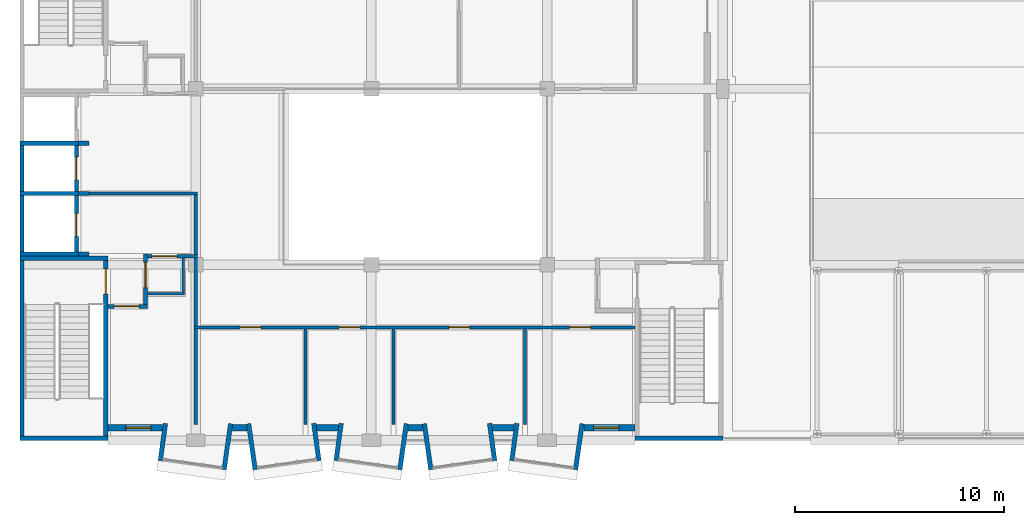
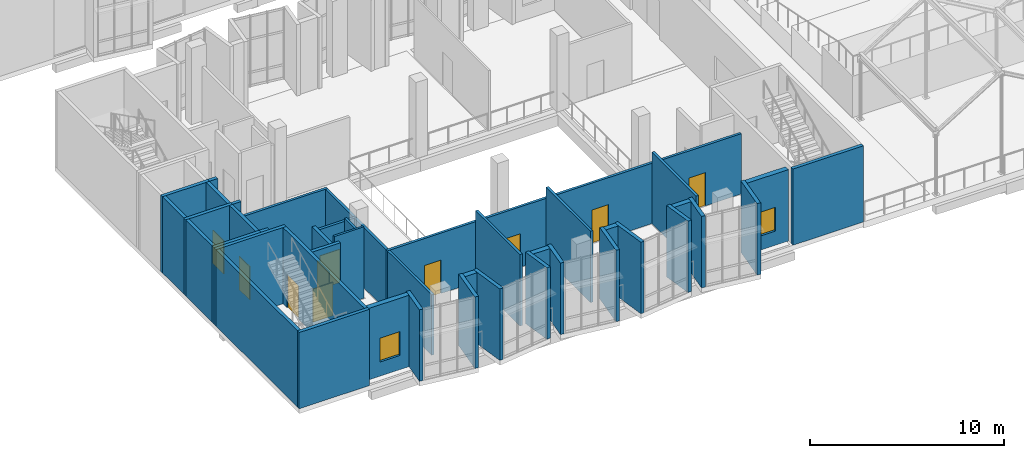
# One storey, part 41 of 67: 44 walls, 10 doors, 2 windows, 12 openings.
"""IFC4 building model written with IfcOpenShell, lengths in metres."""

from ifc_helpers import new_model, si_unit, direction, frame, frame_2d, origin, place, context, subcontext, project, spatial, rectangle, extrude, material, layer, layer_set, type_object, element, fill, save


model = new_model("IFC4")

# Units and contexts
model_context = context("Model", 3, precision=1e-05, world=origin(), true_north=direction((0.0, 1.0)))
body_context = subcontext(model_context, "Body", "Model", "MODEL_VIEW")
ifc_project = project(units=[si_unit("LENGTHUNIT", "METRE"), si_unit("AREAUNIT", "SQUARE_METRE"), si_unit("VOLUMEUNIT", "CUBIC_METRE"), si_unit("PLANEANGLEUNIT", "RADIAN"), si_unit("MASSUNIT", "GRAM", prefix="KILO")], contexts=[model_context])

# Site, building, storey
site_placement = place(None, origin())
site = spatial("IfcSite", under=ifc_project, at=site_placement, CompositionType="ELEMENT")
building_placement = place(site_placement, origin())
building = spatial("IfcBuilding", under=site, at=building_placement, Name="Kiln Court Media Centre", CompositionType="ELEMENT")
storey_placement = place(building_placement, frame((0.0, 0.0, 19.800048828125)))
storey = spatial("IfcBuildingStorey", under=building, at=storey_placement, Name="L04", CompositionType="ELEMENT", Elevation=19.800048828125)

# Wall, opening, door
ifc_material_1 = material(Name="Concrete block masonry M7.5", Category="masonry")
ifc_layer_1 = layer(ifc_material_1, 0.14990234375)
ifc_layer_set_1 = layer_set([ifc_layer_1], Name="Block lobby wall 150 EI 120")
wall_type_1 = type_object("IfcWallType", Name="Block lobby wall 150 EI 120", PredefinedType="SOLIDWALL", material=ifc_layer_set_1)
wall_1_placement = place(storey_placement, frame((6.10009765625, 8.800048828125, 0.0), z_axis=(0.0, 0.0, 1.0), x_axis=(1.0, 0.0, 0.0)))
wall_1 = element("IfcWall", 1, at=wall_1_placement, inside=storey, type_object=wall_type_1, Name="L04 block lobby wall", PredefinedType="SOLIDWALL", context=body_context, shape_type="SweptSolid", body=[
    extrude(rectangle(XDim=2.375, YDim=0.14990234375, at=frame_2d((1.1875, 0.0))), origin(), (0.0, 0.0, 1.0), 3.800048828125),
])
opening_1_placement = place(wall_1_placement, frame((0.199951171875, 0.0, 0.0)))
opening_1 = element("IfcOpeningElement", 2, at=opening_1_placement, cuts=wall_1, Name="Opening D4032", PredefinedType="OPENING", context=body_context, shape_type="SweptSolid", body=[
    extrude(rectangle(XDim=1.199951171875, YDim=2.10009765625, at=frame_2d((0.60009765625, 1.050048828125))), frame((0.0, 0.0849609375, 0.0), z_axis=(0.0, -1.0, 0.0), x_axis=(1.0, 0.0, 0.0)), (0.0, 0.0, 1.0), 0.169921875),
])
ifc_material_2 = material(Name="Steel S275", Category="steel")
door_type_1 = type_object("IfcDoorType", Name="Steel lobby door 1200 x 2100 FD120", OperationType="SINGLE_SWING_LEFT", PredefinedType="DOOR", material=ifc_material_2)
door_1_placement = place(opening_1_placement, origin())
door_1 = element("IfcDoor", 3, at=door_1_placement, inside=storey, type_object=door_type_1, Name="Wheelchair Refuge / Fire-fighting Lift Lobby", OperationType="SINGLE_SWING_RIGHT", OverallHeight=2.10009765625, OverallWidth=1.199951171875, PredefinedType="DOOR", context=body_context, shape_type="SweptSolid", body=[
    extrude(rectangle(XDim=1.199951171875, YDim=2.10009765625, at=frame_2d((0.60009765625, 1.050048828125))), frame((0.0, 0.02490234375, 0.0), z_axis=(0.0, -1.0, 0.0), x_axis=(1.0, 0.0, 0.0)), (0.0, 0.0, 1.0), 0.050048828125),
])
fill(opening_1, door_1)

# Walls
wall_2_placement = place(storey_placement, frame((3.300048828125, 11.800048828125, 0.0), z_axis=(0.0, 0.0, 1.0), x_axis=(1.0, 0.0, 0.0)))
element("IfcWall", 4, at=wall_2_placement, inside=storey, type_object=wall_type_1, Name="L04 block lobby wall", PredefinedType="SOLIDWALL", context=body_context, shape_type="SweptSolid", body=[
    extrude(rectangle(XDim=5.175048828125, YDim=0.14990234375, at=frame_2d((2.58740234375, 0.0))), origin(), (0.0, 0.0, 1.0), 3.800048828125),
])
wall_3_placement = place(storey_placement, frame((8.39990234375, 8.875, 0.0), z_axis=(0.0, 0.0, 1.0), x_axis=(0.0, 1.0, 0.0)))
element("IfcWall", 5, at=wall_3_placement, inside=storey, type_object=wall_type_1, Name="L04 block lobby wall", PredefinedType="SOLIDWALL", context=body_context, shape_type="SweptSolid", body=[
    extrude(rectangle(XDim=2.85009765625, YDim=0.14990234375, at=frame_2d((1.425048828125, 0.0))), origin(), (0.0, 0.0, 1.0), 3.800048828125),
])

# Wall, opening, door
ifc_material_3 = material(Name="Concrete block masonry M10", Category="masonry")
ifc_layer_2 = layer(ifc_material_3, 0.199951171875)
ifc_layer_set_2 = layer_set([ifc_layer_2], Name="Block vestibule wall 200 EI 240")
wall_type_2 = type_object("IfcWallType", Name="Block vestibule wall 200 EI 240", PredefinedType="SOLIDWALL", material=ifc_layer_set_2)
wall_4_placement = place(storey_placement, frame((4.2001953125, 6.39990234375, 0.0), z_axis=(0.0, 0.0, 1.0), x_axis=(1.0, 0.0, 0.0)))
wall_4 = element("IfcWall", 6, at=wall_4_placement, inside=storey, type_object=wall_type_2, Name="L04 block vestibule wall", PredefinedType="SOLIDWALL", context=body_context, shape_type="SweptSolid", body=[
    extrude(rectangle(XDim=1.89990234375, YDim=0.199951171875, at=frame_2d((0.949951171875, 0.0))), origin(), (0.0, 0.0, 1.0), 4.5),
])
opening_2_placement = place(wall_4_placement, frame((0.2998046875, 0.0, 0.0)))
opening_2 = element("IfcOpeningElement", 7, at=opening_2_placement, cuts=wall_4, Name="Opening D4018", PredefinedType="OPENING", context=body_context, shape_type="SweptSolid", body=[
    extrude(rectangle(XDim=1.199951171875, YDim=2.10009765625, at=frame_2d((0.60009765625, 1.050048828125))), frame((0.0, 0.10986328125, 0.0), z_axis=(0.0, -1.0, 0.0), x_axis=(1.0, 0.0, 0.0)), (0.0, 0.0, 1.0), 0.219970703125),
])
ifc_material_4 = material(Name="Steel S275", Category="steel")
door_type_2 = type_object("IfcDoorType", Name="Steel vestibule door 1200 x 2100 FD180", OperationType="SINGLE_SWING_LEFT", PredefinedType="DOOR", material=ifc_material_4)
door_2_placement = place(opening_2_placement, origin())
door_2 = element("IfcDoor", 8, at=door_2_placement, inside=storey, type_object=door_type_2, Name="Toilets and Accessible WC / Stair 1 Vestibule", OperationType="SINGLE_SWING_LEFT", OverallHeight=2.10009765625, OverallWidth=1.199951171875, PredefinedType="DOOR", context=body_context, shape_type="SweptSolid", body=[
    extrude(rectangle(XDim=1.199951171875, YDim=2.10009765625, at=frame_2d((0.60009765625, 1.050048828125))), frame((0.0, 0.02490234375, 0.0), z_axis=(0.0, -1.0, 0.0), x_axis=(1.0, 0.0, 0.0)), (0.0, 0.0, 1.0), 0.050048828125),
])
fill(opening_2, door_2)

wall_5_placement = place(storey_placement, frame((6.0, 6.5, 0.0), z_axis=(0.0, 0.0, 1.0), x_axis=(0.0, 1.0, 0.0)))
wall_5 = element("IfcWall", 9, at=wall_5_placement, inside=storey, type_object=wall_type_2, Name="L04 block vestibule wall", PredefinedType="SOLIDWALL", context=body_context, shape_type="SweptSolid", body=[
    extrude(rectangle(XDim=2.39990234375, YDim=0.199951171875, at=frame_2d((1.199951171875, 0.0))), origin(), (0.0, 0.0, 1.0), 4.0),
])
opening_3_placement = place(wall_5_placement, frame((0.800048828125, 0.0, 0.0)))
opening_3 = element("IfcOpeningElement", 10, at=opening_3_placement, cuts=wall_5, Name="Opening D4019", PredefinedType="OPENING", context=body_context, shape_type="SweptSolid", body=[
    extrude(rectangle(XDim=1.199951171875, YDim=2.10009765625, at=frame_2d((0.60009765625, 1.050048828125))), frame((0.0, 0.10986328125, 0.0), z_axis=(0.0, -1.0, 0.0), x_axis=(1.0, 0.0, 0.0)), (0.0, 0.0, 1.0), 0.219970703125),
])
door_3_placement = place(opening_3_placement, origin())
door_3 = element("IfcDoor", 11, at=door_3_placement, inside=storey, type_object=door_type_2, Name="Stair 1 Vestibule / Wheelchair Refuge", OperationType="SINGLE_SWING_RIGHT", OverallHeight=2.10009765625, OverallWidth=1.199951171875, PredefinedType="DOOR", context=body_context, shape_type="SweptSolid", body=[
    extrude(rectangle(XDim=1.199951171875, YDim=2.10009765625, at=frame_2d((0.60009765625, 1.050048828125))), frame((0.0, 0.02490234375, 0.0), z_axis=(0.0, -1.0, 0.0), x_axis=(1.0, 0.0, 0.0)), (0.0, 0.0, 1.0), 0.050048828125),
])
fill(opening_3, door_3)

# Walls
ifc_material_5 = material(Name="Brick masonry facing leaf with RC backing", Category="masonry")
ifc_layer_3 = layer(ifc_material_5, 0.215087890625)
ifc_layer_set_3 = layer_set([ifc_layer_3], Name="Brick masonry bay cheek wall 215")
wall_type_3 = type_object("IfcWallType", Name="Brick masonry bay cheek wall 215", PredefinedType="SOLIDWALL", material=ifc_layer_set_3)
wall_6_placement = place(storey_placement, frame((6.9560546875, 0.808837890625, 0.0), z_axis=(0.0, 0.0, 1.0), x_axis=(-0.139161311926, -0.990269725511, 0.0)))
element("IfcWall", 12, at=wall_6_placement, inside=storey, type_object=wall_type_3, Name="BAY V6A-S-L04-25 cheek L", PredefinedType="SOLIDWALL", context=body_context, shape_type="SweptSolid", body=[
    extrude(rectangle(XDim=1.800048828125, YDim=0.215087890625, at=frame_2d((0.89990234375, 0.0))), origin(), (0.0, 0.0, 1.0), 4.5),
])
for number, where, z_axis, x_axis, name in (
    (13, (10.0693359375, 0.794921875, 0.0), (0.0, 0.0, 1.0), (-0.139141913905, -0.990272451295, 0.0), "BAY V6A-S-L04-25 cheek R"),
    (14, (10.9306640625, 0.794921875, 0.0), (0.0, 0.0, 1.0), (0.139141913905, -0.990272451295, 0.0), "BAY V6A-S-L04-26 cheek L"),
):
    element("IfcWall", number, at=place(storey_placement, frame(where, z_axis=z_axis, x_axis=x_axis)), inside=storey, type_object=wall_type_3, Name=name, PredefinedType="SOLIDWALL", context=body_context, shape_type="SweptSolid", body=[
        extrude(rectangle(XDim=2.219482421875, YDim=0.215087890625, at=frame_2d((1.10986328125, 0.0))), origin(), (0.0, 0.0, 1.0), 4.5),
    ])
for number, where, z_axis, x_axis, name in (
    (15, (14.0439453125, 0.808837890625, 0.0), (0.0, 0.0, 1.0), (0.139161311926, -0.990269725511, 0.0), "BAY V6A-S-L04-26 cheek R"),
    (16, (15.35595703125, 0.808837890625, 0.0), (0.0, 0.0, 1.0), (-0.139161311926, -0.990269725511, 0.0), "BAY V6A-S-L04-27 cheek L"),
):
    element("IfcWall", number, at=place(storey_placement, frame(where, z_axis=z_axis, x_axis=x_axis)), inside=storey, type_object=wall_type_3, Name=name, PredefinedType="SOLIDWALL", context=body_context, shape_type="SweptSolid", body=[
        extrude(rectangle(XDim=1.800048828125, YDim=0.215087890625, at=frame_2d((0.89990234375, 0.0))), origin(), (0.0, 0.0, 1.0), 4.5),
    ])
wall_7_placement = place(storey_placement, frame((18.469482421875, 0.794921875, 0.0), z_axis=(0.0, 0.0, 1.0), x_axis=(-0.139249775508, -0.99025728981, 0.0)))
element("IfcWall", 17, at=wall_7_placement, inside=storey, type_object=wall_type_3, Name="BAY V6A-S-L04-27 cheek R", PredefinedType="SOLIDWALL", context=body_context, shape_type="SweptSolid", body=[
    extrude(rectangle(XDim=2.2197265625, YDim=0.215087890625, at=frame_2d((1.10986328125, 0.0))), origin(), (0.0, 0.0, 1.0), 4.5),
])
wall_8_placement = place(storey_placement, frame((19.33056640625, 0.794921875, 0.0), z_axis=(0.0, 0.0, 1.0), x_axis=(0.139141913905, -0.990272451295, 0.0)))
element("IfcWall", 18, at=wall_8_placement, inside=storey, type_object=wall_type_3, Name="BAY V6A-S-L04-28 cheek L", PredefinedType="SOLIDWALL", context=body_context, shape_type="SweptSolid", body=[
    extrude(rectangle(XDim=2.219482421875, YDim=0.215087890625, at=frame_2d((1.10986328125, 0.0))), origin(), (0.0, 0.0, 1.0), 4.5),
])
for number, where, z_axis, x_axis, name in (
    (19, (22.444091796875, 0.808837890625, 0.0), (0.0, 0.0, 1.0), (0.139161311926, -0.990269725511, 0.0), "BAY V6A-S-L04-28 cheek R"),
    (20, (23.756103515625, 0.808837890625, 0.0), (0.0, 0.0, 1.0), (-0.139161311926, -0.990269725511, 0.0), "BAY V6A-S-L04-29 cheek L"),
):
    element("IfcWall", number, at=place(storey_placement, frame(where, z_axis=z_axis, x_axis=x_axis)), inside=storey, type_object=wall_type_3, Name=name, PredefinedType="SOLIDWALL", context=body_context, shape_type="SweptSolid", body=[
        extrude(rectangle(XDim=1.800048828125, YDim=0.215087890625, at=frame_2d((0.89990234375, 0.0))), origin(), (0.0, 0.0, 1.0), 4.5),
    ])
wall_9_placement = place(storey_placement, frame((26.869384765625, 0.794921875, 0.0), z_axis=(0.0, 0.0, 1.0), x_axis=(-0.139141913905, -0.990272451295, 0.0)))
element("IfcWall", 21, at=wall_9_placement, inside=storey, type_object=wall_type_3, Name="BAY V6A-S-L04-29 cheek R", PredefinedType="SOLIDWALL", context=body_context, shape_type="SweptSolid", body=[
    extrude(rectangle(XDim=2.219482421875, YDim=0.215087890625, at=frame_2d((1.10986328125, 0.0))), origin(), (0.0, 0.0, 1.0), 4.5),
])

# Wall, opening, window
ifc_material_6 = material(Name="Brick masonry facing leaf with RC backing", Category="masonry")
ifc_layer_4 = layer(ifc_material_6, 0.300048828125)
ifc_layer_set_4 = layer_set([ifc_layer_4], Name="Brick masonry cavity wall 300")
wall_type_4 = type_object("IfcWallType", Name="Brick masonry cavity wall 300", PredefinedType="SOLIDWALL", material=ifc_layer_set_4)
wall_10_placement = place(storey_placement, frame((6.818115234375, 0.60009765625, 0.0), z_axis=(0.0, 0.0, 1.0), x_axis=(-1.0, 0.0, 0.0)))
wall_10 = element("IfcWall", 22, at=wall_10_placement, inside=storey, type_object=wall_type_4, Name="V6A-S facade L04 3031", PredefinedType="SOLIDWALL", context=body_context, shape_type="SweptSolid", body=[
    extrude(rectangle(XDim=2.617919921875, YDim=0.300048828125, at=frame_2d((1.30908203125, 0.0))), origin(), (0.0, 0.0, 1.0), 4.5),
])
opening_4_placement = place(wall_10_placement, frame((0.55908203125, 0.0, 0.89990234375)))
opening_4 = element("IfcOpeningElement", 23, at=opening_4_placement, cuts=wall_10, Name="Opening WN4005", PredefinedType="OPENING", context=body_context, shape_type="SweptSolid", body=[
    extrude(rectangle(XDim=1.199951171875, YDim=1.5, at=frame_2d((0.60009765625, 0.75))), frame((0.0, 0.159912109375, 0.0), z_axis=(0.0, -1.0, 0.0), x_axis=(1.0, 0.0, 0.0)), (0.0, 0.0, 1.0), 0.320068359375),
])
ifc_material_7 = material(Name="Aluminium 6063-T6", Category="aluminium")
window_type = type_object("IfcWindowType", Name="Aluminium window 1200x1500", PartitioningType="DOUBLE_PANEL_VERTICAL", PredefinedType="WINDOW", material=ifc_material_7)
window_1_placement = place(opening_4_placement, origin())
window_1 = element("IfcWindow", 24, at=window_1_placement, inside=storey, type_object=window_type, Name="WB window WN4005", OverallHeight=1.5, OverallWidth=1.199951171875, PartitioningType="SINGLE_PANEL", PredefinedType="WINDOW", context=body_context, shape_type="SweptSolid", body=[
    extrude(rectangle(XDim=1.199951171875, YDim=1.5, at=frame_2d((0.60009765625, 0.75))), frame((0.0, 0.030029296875, 0.0), z_axis=(0.0, -1.0, 0.0), x_axis=(1.0, 0.0, 0.0)), (0.0, 0.0, 1.0), 0.06005859375),
])
fill(opening_4, window_1)

# Walls
wall_11_placement = place(storey_placement, frame((10.849609375, 0.60009765625, 0.0), z_axis=(0.0, 0.0, 1.0), x_axis=(-1.0, 0.0, 0.0)))
element("IfcWall", 25, at=wall_11_placement, inside=storey, type_object=wall_type_4, Name="V6A-S facade L04 3032", PredefinedType="SOLIDWALL", context=body_context, shape_type="SweptSolid", body=[
    extrude(rectangle(XDim=0.69921875, YDim=0.300048828125, at=frame_2d((0.349609375, 0.0))), origin(), (0.0, 0.0, 1.0), 4.5),
])
wall_12_placement = place(storey_placement, frame((15.218017578125, 0.60009765625, 0.0), z_axis=(0.0, 0.0, 1.0), x_axis=(-1.0, 0.0, 0.0)))
element("IfcWall", 26, at=wall_12_placement, inside=storey, type_object=wall_type_4, Name="V6A-S facade L04 3033", PredefinedType="SOLIDWALL", context=body_context, shape_type="SweptSolid", body=[
    extrude(rectangle(XDim=1.0361328125, YDim=0.300048828125, at=frame_2d((0.51806640625, 0.0))), origin(), (0.0, 0.0, 1.0), 4.5),
])
wall_13_placement = place(storey_placement, frame((19.24951171875, 0.60009765625, 0.0), z_axis=(0.0, 0.0, 1.0), x_axis=(-1.0, 0.0, 0.0)))
element("IfcWall", 27, at=wall_13_placement, inside=storey, type_object=wall_type_4, Name="V6A-S facade L04 3034", PredefinedType="SOLIDWALL", context=body_context, shape_type="SweptSolid", body=[
    extrude(rectangle(XDim=0.698974609375, YDim=0.300048828125, at=frame_2d((0.349609375, 0.0))), origin(), (0.0, 0.0, 1.0), 4.5),
])
wall_14_placement = place(storey_placement, frame((23.6181640625, 0.60009765625, 0.0), z_axis=(0.0, 0.0, 1.0), x_axis=(-1.0, 0.0, 0.0)))
element("IfcWall", 28, at=wall_14_placement, inside=storey, type_object=wall_type_4, Name="V6A-S facade L04 3035", PredefinedType="SOLIDWALL", context=body_context, shape_type="SweptSolid", body=[
    extrude(rectangle(XDim=1.036376953125, YDim=0.300048828125, at=frame_2d((0.51806640625, 0.0))), origin(), (0.0, 0.0, 1.0), 4.5),
])

# Wall, opening, window
wall_15_placement = place(storey_placement, frame((29.39990234375, 0.60009765625, 0.0), z_axis=(0.0, 0.0, 1.0), x_axis=(-1.0, 0.0, 0.0)))
wall_15 = element("IfcWall", 29, at=wall_15_placement, inside=storey, type_object=wall_type_4, Name="V6A-S facade L04 3036", PredefinedType="SOLIDWALL", context=body_context, shape_type="SweptSolid", body=[
    extrude(rectangle(XDim=2.449462890625, YDim=0.300048828125, at=frame_2d((1.224609375, 0.0))), origin(), (0.0, 0.0, 1.0), 4.5),
])
opening_5_placement = place(wall_15_placement, frame((0.77490234375, 0.0, 0.89990234375)))
opening_5 = element("IfcOpeningElement", 30, at=opening_5_placement, cuts=wall_15, Name="Opening WN4006", PredefinedType="OPENING", context=body_context, shape_type="SweptSolid", body=[
    extrude(rectangle(XDim=1.199951171875, YDim=1.5, at=frame_2d((0.60009765625, 0.75))), frame((0.0, 0.159912109375, 0.0), z_axis=(0.0, -1.0, 0.0), x_axis=(1.0, 0.0, 0.0)), (0.0, 0.0, 1.0), 0.320068359375),
])
window_2_placement = place(opening_5_placement, origin())
window_2 = element("IfcWindow", 31, at=window_2_placement, inside=storey, type_object=window_type, Name="WB window WN4006", OverallHeight=1.5, OverallWidth=1.199951171875, PartitioningType="SINGLE_PANEL", PredefinedType="WINDOW", context=body_context, shape_type="SweptSolid", body=[
    extrude(rectangle(XDim=1.199951171875, YDim=1.5, at=frame_2d((0.60009765625, 0.75))), frame((0.0, 0.030029296875, 0.0), z_axis=(0.0, -1.0, 0.0), x_axis=(1.0, 0.0, 0.0)), (0.0, 0.0, 1.0), 0.06005859375),
])
fill(opening_5, window_2)

# Walls
ifc_material_8 = material(Name="Concrete C40/50", Category="concrete")
ifc_layer_5 = layer(ifc_material_8, 0.199951171875)
ifc_layer_set_5 = layer_set([ifc_layer_5], Name="Concrete C40/50 shear wall 200")
wall_type_5 = type_object("IfcWallType", Name="Concrete C40/50 shear wall 200", PredefinedType="SHEAR", material=ifc_layer_set_5)
for number, where, z_axis, x_axis, name in (
    (32, (4.199951171875, 0.10009765625, 0.0), (0.0, 0.0, 1.0), (-1.0, 0.0, 0.0), "L04-W-1000"),
    (33, (0.00048828125, 8.699951171875, 0.0), (0.0, 0.0, 1.0), (1.0, 0.0, 0.0), "L04-W-1001"),
):
    element("IfcWall", number, at=place(storey_placement, frame(where, z_axis=z_axis, x_axis=x_axis)), inside=storey, type_object=wall_type_5, Name=name, PredefinedType="SHEAR", context=body_context, shape_type="SweptSolid", body=[
        extrude(rectangle(XDim=4.199462890625, YDim=0.199951171875, at=frame_2d((2.099609375, 0.0))), origin(), (0.0, 0.0, 1.0), 4.800048828125),
    ])
wall_16_placement = place(storey_placement, frame((0.100341796875, 0.199951171875, 0.0), z_axis=(0.0, 0.0, 1.0), x_axis=(0.0, 1.0, 0.0)))
element("IfcWall", 34, at=wall_16_placement, inside=storey, type_object=wall_type_5, Name="L04-W-1002", PredefinedType="SHEAR", context=body_context, shape_type="SweptSolid", body=[
    extrude(rectangle(XDim=8.400146484375, YDim=0.199951171875, at=frame_2d((4.2001953125, 0.0))), origin(), (0.0, 0.0, 1.0), 4.800048828125),
])

# Wall, opening, door
wall_17_placement = place(storey_placement, frame((4.10009765625, 8.60009765625, 0.0), z_axis=(0.0, 0.0, 1.0), x_axis=(0.0, -1.0, 0.0)))
wall_17 = element("IfcWall", 35, at=wall_17_placement, inside=storey, type_object=wall_type_5, Name="L04-W-1003", PredefinedType="SHEAR", context=body_context, shape_type="SweptSolid", body=[
    extrude(rectangle(XDim=8.400146484375, YDim=0.199951171875, at=frame_2d((4.2001953125, 0.0))), origin(), (0.0, 0.0, 1.0), 4.800048828125),
])
opening_6_placement = place(wall_17_placement, frame((0.400146484375, 0.0, 0.0)))
opening_6 = element("IfcOpeningElement", 36, at=opening_6_placement, cuts=wall_17, Name="Opening D4006", PredefinedType="OPENING", context=body_context, shape_type="SweptSolid", body=[
    extrude(rectangle(XDim=1.199951171875, YDim=2.10009765625, at=frame_2d((0.60009765625, 1.050048828125))), frame((0.0, 0.10986328125, 0.0), z_axis=(0.0, -1.0, 0.0), x_axis=(1.0, 0.0, 0.0)), (0.0, 0.0, 1.0), 0.219970703125),
])
ifc_material_9 = material(Name="Steel S275", Category="steel")
door_type_3 = type_object("IfcDoorType", Name="Steel stair door 1200 x 2100 FD180", OperationType="SINGLE_SWING_LEFT", PredefinedType="DOOR", material=ifc_material_9)
door_4_placement = place(opening_6_placement, origin())
door_4 = element("IfcDoor", 37, at=door_4_placement, inside=storey, type_object=door_type_3, Name="Stair 1 / Stair 1 Vestibule", OperationType="SINGLE_SWING_RIGHT", OverallHeight=2.10009765625, OverallWidth=1.199951171875, PredefinedType="DOOR", context=body_context, shape_type="SweptSolid", body=[
    extrude(rectangle(XDim=1.199951171875, YDim=2.10009765625, at=frame_2d((0.60009765625, 1.050048828125))), frame((0.0, 0.02490234375, 0.0), z_axis=(0.0, -1.0, 0.0), x_axis=(1.0, 0.0, 0.0)), (0.0, 0.0, 1.0), 0.050048828125),
])
fill(opening_6, door_4)

# Walls
wall_18_placement = place(storey_placement, frame((33.60009765625, 0.10009765625, 0.0), z_axis=(0.0, 0.0, 1.0), x_axis=(-1.0, 0.0, 0.0)))
element("IfcWall", 38, at=wall_18_placement, inside=storey, type_object=wall_type_5, Name="L04-W-1008", PredefinedType="SHEAR", context=body_context, shape_type="SweptSolid", body=[
    extrude(rectangle(XDim=4.2001953125, YDim=0.199951171875, at=frame_2d((2.10009765625, 0.0))), origin(), (0.0, 0.0, 1.0), 4.800048828125),
])
for number, where, z_axis, x_axis, name in (
    (39, (2.800048828125, 8.89990234375, 0.0), (0.0, 0.0, 1.0), (-1.0, 0.0, 0.0), "L04-W-1034"),
    (40, (0.00048828125, 11.800048828125, 0.0), (0.0, 0.0, 1.0), (1.0, 0.0, 0.0), "L04-W-1035"),
):
    element("IfcWall", number, at=place(storey_placement, frame(where, z_axis=z_axis, x_axis=x_axis)), inside=storey, type_object=wall_type_5, Name=name, PredefinedType="SHEAR", context=body_context, shape_type="SweptSolid", body=[
        extrude(rectangle(XDim=2.799560546875, YDim=0.199951171875, at=frame_2d((1.39990234375, 0.0))), origin(), (0.0, 0.0, 1.0), 4.800048828125),
    ])
wall_19_placement = place(storey_placement, frame((0.100341796875, 9.0, 0.0), z_axis=(0.0, 0.0, 1.0), x_axis=(0.0, 1.0, 0.0)))
element("IfcWall", 41, at=wall_19_placement, inside=storey, type_object=wall_type_5, Name="L04-W-1036", PredefinedType="SHEAR", context=body_context, shape_type="SweptSolid", body=[
    extrude(rectangle(XDim=2.699951171875, YDim=0.199951171875, at=frame_2d((1.35009765625, 0.0))), origin(), (0.0, 0.0, 1.0), 4.800048828125),
])

# Wall, opening, door
wall_20_placement = place(storey_placement, frame((2.699951171875, 11.699951171875, 0.0), z_axis=(0.0, 0.0, 1.0), x_axis=(0.0, -1.0, 0.0)))
wall_20 = element("IfcWall", 42, at=wall_20_placement, inside=storey, type_object=wall_type_5, Name="L04-W-1037", PredefinedType="SHEAR", context=body_context, shape_type="SweptSolid", body=[
    extrude(rectangle(XDim=2.699951171875, YDim=0.199951171875, at=frame_2d((1.35009765625, 0.0))), origin(), (0.0, 0.0, 1.0), 4.800048828125),
])
opening_7_placement = place(wall_20_placement, frame((0.85009765625, 0.0, 0.0)))
opening_7 = element("IfcOpeningElement", 43, at=opening_7_placement, cuts=wall_20, Name="Opening LD401", PredefinedType="OPENING", context=body_context, shape_type="SweptSolid", body=[
    extrude(rectangle(XDim=1.10009765625, YDim=2.10009765625, at=frame_2d((0.550048828125, 1.050048828125))), frame((0.0, 0.10986328125, 0.0), z_axis=(0.0, -1.0, 0.0), x_axis=(1.0, 0.0, 0.0)), (0.0, 0.0, 1.0), 0.219970703125),
])
ifc_material_10 = material(Name="Stainless steel", Category="steel")
door_type_4 = type_object("IfcDoorType", Name="Firefighting lift landing door 1100 x 2100 FD120", OperationType="SLIDING_TO_LEFT", PredefinedType="DOOR", material=ifc_material_10)
door_5_placement = place(opening_7_placement, origin())
door_5 = element("IfcDoor", 44, at=door_5_placement, inside=storey, type_object=door_type_4, Name="LF-01 landing door L04", OperationType="SLIDING_TO_LEFT", OverallHeight=2.10009765625, OverallWidth=1.10009765625, PredefinedType="DOOR", context=body_context, shape_type="SweptSolid", body=[
    extrude(rectangle(XDim=1.10009765625, YDim=2.10009765625, at=frame_2d((0.550048828125, 1.050048828125))), frame((0.0, 0.02490234375, 0.0), z_axis=(0.0, -1.0, 0.0), x_axis=(1.0, 0.0, 0.0)), (0.0, 0.0, 1.0), 0.050048828125),
])
fill(opening_7, door_5)

# Walls
wall_21_placement = place(storey_placement, frame((0.00048828125, 14.199951171875, 0.0), z_axis=(0.0, 0.0, 1.0), x_axis=(1.0, 0.0, 0.0)))
element("IfcWall", 45, at=wall_21_placement, inside=storey, type_object=wall_type_5, Name="L04-W-1038", PredefinedType="SHEAR", context=body_context, shape_type="SweptSolid", body=[
    extrude(rectangle(XDim=2.799560546875, YDim=0.199951171875, at=frame_2d((1.39990234375, 0.0))), origin(), (0.0, 0.0, 1.0), 4.800048828125),
])
wall_22_placement = place(storey_placement, frame((0.100341796875, 11.89990234375, 0.0), z_axis=(0.0, 0.0, 1.0), x_axis=(0.0, 1.0, 0.0)))
element("IfcWall", 46, at=wall_22_placement, inside=storey, type_object=wall_type_5, Name="L04-W-1039", PredefinedType="SHEAR", context=body_context, shape_type="SweptSolid", body=[
    extrude(rectangle(XDim=2.2001953125, YDim=0.199951171875, at=frame_2d((1.10009765625, 0.0))), origin(), (0.0, 0.0, 1.0), 4.800048828125),
])

# Wall, opening, door
wall_23_placement = place(storey_placement, frame((2.699951171875, 14.10009765625, 0.0), z_axis=(0.0, 0.0, 1.0), x_axis=(0.0, -1.0, 0.0)))
wall_23 = element("IfcWall", 47, at=wall_23_placement, inside=storey, type_object=wall_type_5, Name="L04-W-1040", PredefinedType="SHEAR", context=body_context, shape_type="SweptSolid", body=[
    extrude(rectangle(XDim=2.2001953125, YDim=0.199951171875, at=frame_2d((1.10009765625, 0.0))), origin(), (0.0, 0.0, 1.0), 4.800048828125),
])
opening_8_placement = place(wall_23_placement, frame((0.550048828125, 0.0, 0.0)))
opening_8 = element("IfcOpeningElement", 48, at=opening_8_placement, cuts=wall_23, Name="Opening LD402", PredefinedType="OPENING", context=body_context, shape_type="SweptSolid", body=[
    extrude(rectangle(XDim=1.10009765625, YDim=2.10009765625, at=frame_2d((0.550048828125, 1.050048828125))), frame((0.0, 0.10986328125, 0.0), z_axis=(0.0, -1.0, 0.0), x_axis=(1.0, 0.0, 0.0)), (0.0, 0.0, 1.0), 0.219970703125),
])
ifc_material_11 = material(Name="Stainless steel", Category="steel")
door_type_5 = type_object("IfcDoorType", Name="Lift landing door 1100 x 2100 FD120", OperationType="SLIDING_TO_LEFT", PredefinedType="DOOR", material=ifc_material_11)
door_6_placement = place(opening_8_placement, origin())
door_6 = element("IfcDoor", 49, at=door_6_placement, inside=storey, type_object=door_type_5, Name="LF-02 landing door L04", OperationType="SLIDING_TO_LEFT", OverallHeight=2.10009765625, OverallWidth=1.10009765625, PredefinedType="DOOR", context=body_context, shape_type="SweptSolid", body=[
    extrude(rectangle(XDim=1.10009765625, YDim=2.10009765625, at=frame_2d((0.550048828125, 1.050048828125))), frame((0.0, 0.02490234375, 0.0), z_axis=(0.0, -1.0, 0.0), x_axis=(1.0, 0.0, 0.0)), (0.0, 0.0, 1.0), 0.050048828125),
])
fill(opening_8, door_6)

# Walls
for number, where, z_axis, x_axis, name in (
    (50, (3.300048828125, 8.89990234375, 0.0), (0.0, 0.0, 1.0), (-1.0, 0.0, 0.0), "L04-W-1110"),
    (51, (2.800048828125, 11.800048828125, 0.0), (0.0, 0.0, 1.0), (1.0, 0.0, 0.0), "L04-W-1111"),
    (52, (2.800048828125, 14.199951171875, 0.0), (0.0, 0.0, 1.0), (1.0, 0.0, 0.0), "L04-W-1112"),
):
    element("IfcWall", number, at=place(storey_placement, frame(where, z_axis=z_axis, x_axis=x_axis)), inside=storey, type_object=wall_type_5, Name=name, PredefinedType="SHEAR", context=body_context, shape_type="SweptSolid", body=[
        extrude(rectangle(XDim=0.5, YDim=0.199951171875, at=frame_2d((0.25, 0.0))), origin(), (0.0, 0.0, 1.0), 4.800048828125),
    ])

# Wall, openings, doors
ifc_material_12 = material(Name="Gypsum plasterboard", Category="gypsum")
ifc_layer_6 = layer(ifc_material_12, 0.14990234375)
ifc_layer_set_6 = layer_set([ifc_layer_6], Name="Gypsum corridor partition 150 EI 60")
wall_type_6 = type_object("IfcWallType", Name="Gypsum corridor partition 150 EI 60", PredefinedType="PARTITIONING", material=ifc_layer_set_6)
wall_24_placement = place(storey_placement, frame((8.324951171875, 5.39990234375, 0.0), z_axis=(0.0, 0.0, 1.0), x_axis=(1.0, 0.0, 0.0)))
wall_24 = element("IfcWall", 53, at=wall_24_placement, inside=storey, type_object=wall_type_6, Name="L04 gypsum corridor partition", PredefinedType="PARTITIONING", context=body_context, shape_type="SweptSolid", body=[
    extrude(rectangle(XDim=21.074951171875, YDim=0.14990234375, at=frame_2d((10.53759765625, 0.0))), origin(), (0.0, 0.0, 1.0), 3.800048828125),
])
opening_9_placement = place(wall_24_placement, frame((2.199951171875, 0.0, 0.0)))
opening_9 = element("IfcOpeningElement", 54, at=opening_9_placement, cuts=wall_24, Name="Opening D4028", PredefinedType="OPENING", context=body_context, shape_type="SweptSolid", body=[
    extrude(rectangle(XDim=1.0, YDim=2.10009765625, at=frame_2d((0.5, 1.050048828125))), frame((0.0, 0.0849609375, 0.0), z_axis=(0.0, -1.0, 0.0), x_axis=(1.0, 0.0, 0.0)), (0.0, 0.0, 1.0), 0.169921875),
])
opening_10_placement = place(wall_24_placement, frame((6.925048828125, 0.0, 0.0)))
opening_10 = element("IfcOpeningElement", 55, at=opening_10_placement, cuts=wall_24, Name="Opening D4029", PredefinedType="OPENING", context=body_context, shape_type="SweptSolid", body=[
    extrude(rectangle(XDim=1.0, YDim=2.10009765625, at=frame_2d((0.5, 1.050048828125))), frame((0.0, 0.0849609375, 0.0), z_axis=(0.0, -1.0, 0.0), x_axis=(1.0, 0.0, 0.0)), (0.0, 0.0, 1.0), 0.169921875),
])
opening_11_placement = place(wall_24_placement, frame((12.175048828125, 0.0, 0.0)))
opening_11 = element("IfcOpeningElement", 56, at=opening_11_placement, cuts=wall_24, Name="Opening D4030", PredefinedType="OPENING", context=body_context, shape_type="SweptSolid", body=[
    extrude(rectangle(XDim=1.0, YDim=2.10009765625, at=frame_2d((0.5, 1.050048828125))), frame((0.0, 0.0849609375, 0.0), z_axis=(0.0, -1.0, 0.0), x_axis=(1.0, 0.0, 0.0)), (0.0, 0.0, 1.0), 0.169921875),
])
opening_12_placement = place(wall_24_placement, frame((17.949951171875, 0.0, 0.0)))
opening_12 = element("IfcOpeningElement", 57, at=opening_12_placement, cuts=wall_24, Name="Opening D4031", PredefinedType="OPENING", context=body_context, shape_type="SweptSolid", body=[
    extrude(rectangle(XDim=1.0, YDim=2.10009765625, at=frame_2d((0.5, 1.050048828125))), frame((0.0, 0.0849609375, 0.0), z_axis=(0.0, -1.0, 0.0), x_axis=(1.0, 0.0, 0.0)), (0.0, 0.0, 1.0), 0.169921875),
])
ifc_material_13 = material(Name="Steel S275", Category="steel")
door_type_6 = type_object("IfcDoorType", Name="Steel corridor door 1000 x 2100 FD30S", OperationType="SINGLE_SWING_LEFT", PredefinedType="DOOR", material=ifc_material_13)
door_7_placement = place(opening_9_placement, origin())
door_7 = element("IfcDoor", 58, at=door_7_placement, inside=storey, type_object=door_type_6, Name="Editing Suite 1 / Atrium Gallery", OperationType="SINGLE_SWING_RIGHT", OverallHeight=2.10009765625, OverallWidth=1.0, PredefinedType="DOOR", context=body_context, shape_type="SweptSolid", body=[
    extrude(rectangle(XDim=1.0, YDim=2.10009765625, at=frame_2d((0.5, 1.050048828125))), frame((0.0, 0.02490234375, 0.0), z_axis=(0.0, -1.0, 0.0), x_axis=(1.0, 0.0, 0.0)), (0.0, 0.0, 1.0), 0.050048828125),
])
fill(opening_9, door_7)
door_8_placement = place(opening_10_placement, origin())
door_8 = element("IfcDoor", 59, at=door_8_placement, inside=storey, type_object=door_type_6, Name="Editing Suite 2 / Atrium Gallery", OperationType="SINGLE_SWING_LEFT", OverallHeight=2.10009765625, OverallWidth=1.0, PredefinedType="DOOR", context=body_context, shape_type="SweptSolid", body=[
    extrude(rectangle(XDim=1.0, YDim=2.10009765625, at=frame_2d((0.5, 1.050048828125))), frame((0.0, 0.02490234375, 0.0), z_axis=(0.0, -1.0, 0.0), x_axis=(1.0, 0.0, 0.0)), (0.0, 0.0, 1.0), 0.050048828125),
])
fill(opening_10, door_8)
door_9_placement = place(opening_11_placement, origin())
door_9 = element("IfcDoor", 60, at=door_9_placement, inside=storey, type_object=door_type_6, Name="Editing Suite 3 / Atrium Gallery", OperationType="SINGLE_SWING_RIGHT", OverallHeight=2.10009765625, OverallWidth=1.0, PredefinedType="DOOR", context=body_context, shape_type="SweptSolid", body=[
    extrude(rectangle(XDim=1.0, YDim=2.10009765625, at=frame_2d((0.5, 1.050048828125))), frame((0.0, 0.02490234375, 0.0), z_axis=(0.0, -1.0, 0.0), x_axis=(1.0, 0.0, 0.0)), (0.0, 0.0, 1.0), 0.050048828125),
])
fill(opening_11, door_9)
door_10_placement = place(opening_12_placement, origin())
door_10 = element("IfcDoor", 61, at=door_10_placement, inside=storey, type_object=door_type_6, Name="Editing Suite 4 / Atrium Gallery", OperationType="SINGLE_SWING_RIGHT", OverallHeight=2.10009765625, OverallWidth=1.0, PredefinedType="DOOR", context=body_context, shape_type="SweptSolid", body=[
    extrude(rectangle(XDim=1.0, YDim=2.10009765625, at=frame_2d((0.5, 1.050048828125))), frame((0.0, 0.02490234375, 0.0), z_axis=(0.0, -1.0, 0.0), x_axis=(1.0, 0.0, 0.0)), (0.0, 0.0, 1.0), 0.050048828125),
])
fill(opening_12, door_10)

# Walls
wall_25_placement = place(storey_placement, frame((8.39990234375, 0.75, 0.0), z_axis=(0.0, 0.0, 1.0), x_axis=(0.0, 1.0, 0.0)))
element("IfcWall", 62, at=wall_25_placement, inside=storey, type_object=wall_type_6, Name="L04 gypsum corridor partition", PredefinedType="PARTITIONING", context=body_context, shape_type="SweptSolid", body=[
    extrude(rectangle(XDim=4.574951171875, YDim=0.14990234375, at=frame_2d((2.28759765625, 0.0))), origin(), (0.0, 0.0, 1.0), 3.800048828125),
])
wall_26_placement = place(storey_placement, frame((8.39990234375, 5.47509765625, 0.0), z_axis=(0.0, 0.0, 1.0), x_axis=(0.0, 1.0, 0.0)))
element("IfcWall", 63, at=wall_26_placement, inside=storey, type_object=wall_type_6, Name="L04 gypsum corridor partition", PredefinedType="PARTITIONING", context=body_context, shape_type="SweptSolid", body=[
    extrude(rectangle(XDim=3.25, YDim=0.14990234375, at=frame_2d((1.625, 0.0))), origin(), (0.0, 0.0, 1.0), 3.800048828125),
])
for number, where, z_axis, x_axis, name in (
    (64, (13.64990234375, 0.75, 0.0), (0.0, 0.0, 1.0), (0.0, 1.0, 0.0), "L04 gypsum corridor partition"),
    (65, (17.85009765625, 0.75, 0.0), (0.0, 0.0, 1.0), (0.0, 1.0, 0.0), "L04 gypsum corridor partition"),
    (66, (24.14990234375, 0.75, 0.0), (0.0, 0.0, 1.0), (0.0, 1.0, 0.0), "L04 gypsum corridor partition"),
):
    element("IfcWall", number, at=place(storey_placement, frame(where, z_axis=z_axis, x_axis=x_axis)), inside=storey, type_object=wall_type_6, Name=name, PredefinedType="PARTITIONING", context=body_context, shape_type="SweptSolid", body=[
        extrude(rectangle(XDim=4.574951171875, YDim=0.14990234375, at=frame_2d((2.28759765625, 0.0))), origin(), (0.0, 0.0, 1.0), 4.5),
    ])
ifc_material_14 = material(Name="Gypsum plasterboard", Category="gypsum")
ifc_layer_7 = layer(ifc_material_14, 0.125)
ifc_layer_set_7 = layer_set([ifc_layer_7], Name="Gypsum wet-area partition 125")
wall_type_7 = type_object("IfcWallType", Name="Gypsum wet-area partition 125", PredefinedType="PARTITIONING", material=ifc_layer_set_7)
wall_27_placement = place(storey_placement, frame((6.10009765625, 7.0, 0.0), z_axis=(0.0, 0.0, 1.0), x_axis=(1.0, 0.0, 0.0)))
element("IfcWall", 67, at=wall_27_placement, inside=storey, type_object=wall_type_7, Name="L04 gypsum wet-area partition", PredefinedType="PARTITIONING", context=body_context, shape_type="SweptSolid", body=[
    extrude(rectangle(XDim=1.762451171875, YDim=0.125, at=frame_2d((0.88134765625, 0.0))), origin(), (0.0, 0.0, 1.0), 4.5),
])
wall_28_placement = place(storey_placement, frame((7.800048828125, 7.0625, 0.0), z_axis=(0.0, 0.0, 1.0), x_axis=(0.0, 1.0, 0.0)))
element("IfcWall", 68, at=wall_28_placement, inside=storey, type_object=wall_type_7, Name="L04 gypsum wet-area partition", PredefinedType="PARTITIONING", context=body_context, shape_type="SweptSolid", body=[
    extrude(rectangle(XDim=1.66259765625, YDim=0.125, at=frame_2d((0.831298828125, 0.0))), origin(), (0.0, 0.0, 1.0), 4.0),
])

save(model, "model.ifc")
